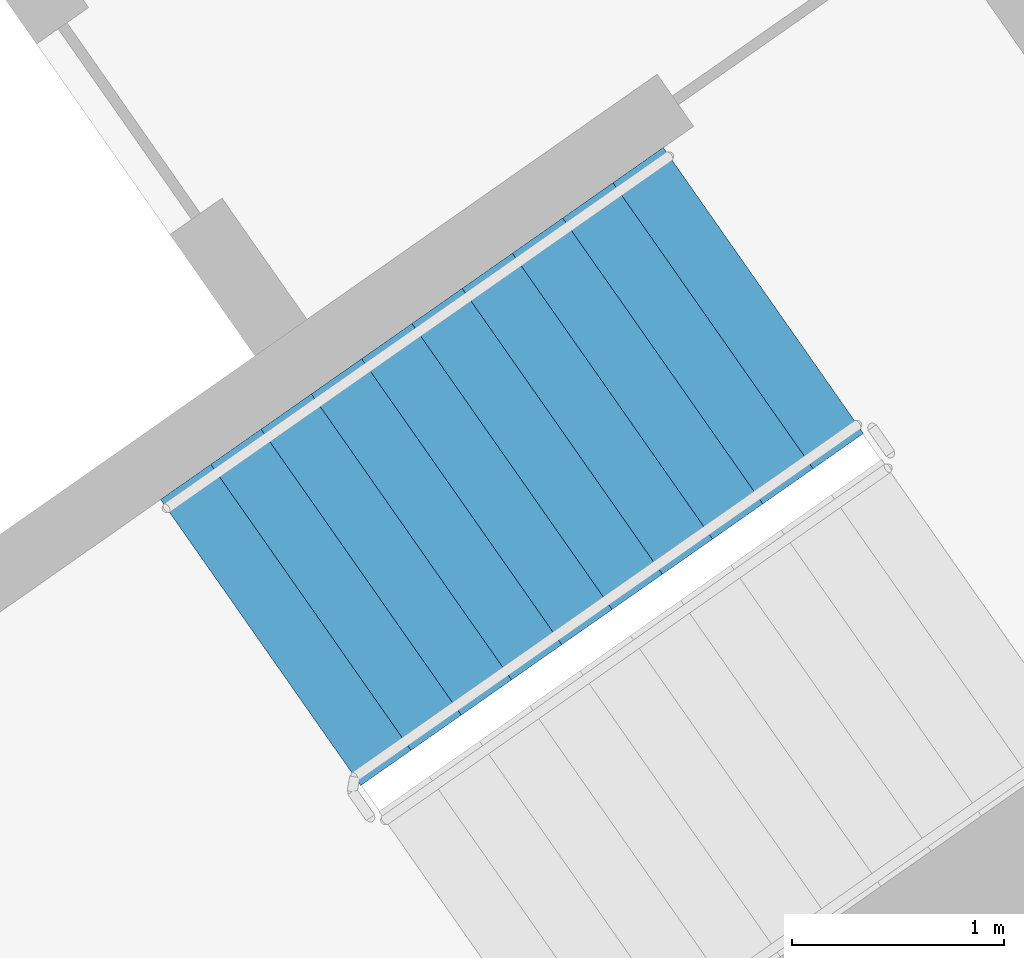
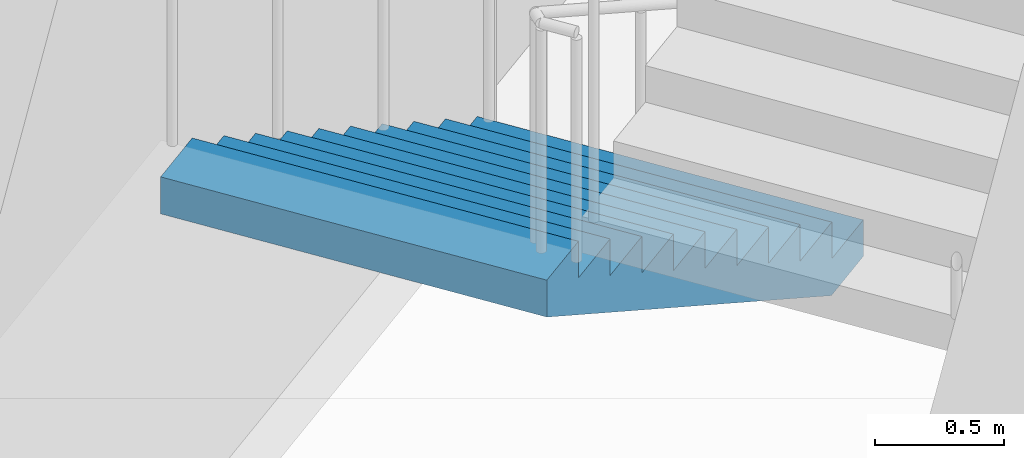
# One storey, part 17 of 30: 1 stair flight, 1 element without a shape of its own.
"""IFC4 building model written with IfcOpenShell, lengths in metres."""

from ifc_helpers import new_model, si_unit, direction, frame, origin, place, context, subcontext, project, spatial, faceted_brep, material, type_object, element, aggregate, save


model = new_model("IFC4")

# Units and contexts
model_context = context("Model", 3, precision=1e-05, world=origin(), true_north=direction((0.0, 1.0)))
body_context = subcontext(model_context, "Body", "Model", "MODEL_VIEW")
ifc_project = project(units=[si_unit("LENGTHUNIT", "METRE"), si_unit("AREAUNIT", "SQUARE_METRE"), si_unit("VOLUMEUNIT", "CUBIC_METRE"), si_unit("PLANEANGLEUNIT", "RADIAN"), si_unit("MASSUNIT", "GRAM", prefix="KILO")], contexts=[model_context])

# Site, building, storey
site_placement = place(None, origin())
site = spatial("IfcSite", under=ifc_project, at=site_placement, CompositionType="ELEMENT")
building_placement = place(site_placement, origin())
building = spatial("IfcBuilding", under=site, at=building_placement, Name="Qamariyya Broadcast Tower", CompositionType="ELEMENT")
storey_placement = place(building_placement, frame((0.0, 0.0, 110.10009765625)))
storey = spatial("IfcBuildingStorey", under=building, at=storey_placement, Name="L24", CompositionType="ELEMENT", Elevation=110.10009765625)

# Stair, stair flight
ifc_material = material(Name="Concrete C50/60", Category="concrete")
stair_type = type_object("IfcStairType", Name="Exit stair 22 risers of 173 mm", PredefinedType="HALF_TURN_STAIR", material=ifc_material)
stair_placement = place(storey_placement, origin())
stair = element("IfcStair", 1, at=stair_placement, inside=storey, type_object=stair_type, Name="L24 Stair E1", PredefinedType="HALF_TURN_STAIR")
stair_flight_type = type_object("IfcStairFlightType", Name="Exit stair flight 11 risers of 173 mm", PredefinedType="STRAIGHT", material=ifc_material)
stair_flight_placement = place(storey_placement, frame((46.036376953125, -55.508056640625, 0.0), z_axis=(0.0, 0.0, 1.0), x_axis=(-0.819152044289, -0.573576436351, 0.0)))
stair_flight = element("IfcStairFlight", 2, at=stair_flight_placement, type_object=stair_flight_type, Name="ST-E1 flight 1", NumberOfRisers=11, NumberOfTreads=10, PredefinedType="STRAIGHT", RiserHeight=0.172727273, TreadLength=0.29, context=body_context, shape_type="Brep", body=[
    faceted_brep([(0.0, 0.824951171875, 0.0), (0.0, 0.824951171875, 0.172607421875), (0.2900390625, 0.824951171875, 0.172607421875), (0.2900390625, 0.824951171875, 0.345458984375), (0.580078125, 0.824951171875, 0.345458984375), (0.580078125, 0.824951171875, 0.51806640625), (0.8701171875, 0.824951171875, 0.51806640625), (0.8701171875, 0.824951171875, 0.69091796875), (1.159912109375, 0.824951171875, 0.69091796875), (1.159912109375, 0.824951171875, 0.863525390625), (1.449951171875, 0.824951171875, 0.863525390625), (1.449951171875, 0.824951171875, 1.036376953125), (1.739990234375, 0.824951171875, 1.036376953125), (1.739990234375, 0.824951171875, 1.208984375), (2.030029296875, 0.824951171875, 1.208984375), (2.030029296875, 0.824951171875, 1.3818359375), (2.320068359375, 0.824951171875, 1.3818359375), (2.320068359375, 0.824951171875, 1.554443359375), (2.610107421875, 0.824951171875, 1.554443359375), (2.610107421875, 0.824951171875, 1.727294921875), (2.89990234375, 0.824951171875, 1.727294921875), (2.89990234375, 0.824951171875, 1.552734375), (0.29296875, 0.824951171875, 0.0), (0.29296875, -0.824951171875, 0.0), (2.89990234375, -0.824951171875, 1.552734375), (2.89990234375, -0.824951171875, 1.727294921875), (2.610107421875, -0.824951171875, 1.727294921875), (2.610107421875, -0.824951171875, 1.554443359375), (2.320068359375, -0.824951171875, 1.554443359375), (2.320068359375, -0.824951171875, 1.3818359375), (2.030029296875, -0.824951171875, 1.3818359375), (2.030029296875, -0.824951171875, 1.208984375), (1.739990234375, -0.824951171875, 1.208984375), (1.739990234375, -0.824951171875, 1.036376953125), (1.449951171875, -0.824951171875, 1.036376953125), (1.449951171875, -0.824951171875, 0.863525390625), (1.159912109375, -0.824951171875, 0.863525390625), (1.159912109375, -0.824951171875, 0.69091796875), (0.8701171875, -0.824951171875, 0.69091796875), (0.8701171875, -0.824951171875, 0.51806640625), (0.580078125, -0.824951171875, 0.51806640625), (0.580078125, -0.824951171875, 0.345458984375), (0.2900390625, -0.824951171875, 0.345458984375), (0.2900390625, -0.824951171875, 0.172607421875), (0.0, -0.824951171875, 0.172607421875), (0.0, -0.824951171875, 0.0), (0.0, 0.10009765625, 0.0), (0.0, 0.086669921875, 0.0), (0.0, 0.0732421875, 0.0), (0.0, 0.06005859375, 0.0), (0.0, 0.046630859375, 0.0), (0.0, 0.033447265625, 0.0), (0.0, 0.02001953125, 0.0), (0.0, 0.006591796875, 0.0), (0.0, -0.006591796875, 0.0), (0.0, -0.02001953125, 0.0), (0.0, -0.033447265625, 0.0), (0.0, -0.046630859375, 0.0), (0.0, -0.06005859375, 0.0), (0.0, -0.0732421875, 0.0), (0.0, -0.086669921875, 0.0), (0.0, -0.10009765625, 0.0), (0.0, -0.10009765625, 0.172607421875), (0.0, -0.086669921875, 0.172607421875), (0.0, -0.0732421875, 0.172607421875), (0.0, -0.06005859375, 0.172607421875), (0.0, -0.046630859375, 0.172607421875), (0.0, -0.033447265625, 0.172607421875), (0.0, -0.02001953125, 0.172607421875), (0.0, -0.006591796875, 0.172607421875), (0.0, 0.006591796875, 0.172607421875), (0.0, 0.02001953125, 0.172607421875), (0.0, 0.033447265625, 0.172607421875), (0.0, 0.046630859375, 0.172607421875), (0.0, 0.06005859375, 0.172607421875), (0.0, 0.0732421875, 0.172607421875), (0.0, 0.086669921875, 0.172607421875), (0.0, 0.10009765625, 0.172607421875), (0.2900390625, -0.10009765625, 0.172607421875), (0.2900390625, -0.086669921875, 0.172607421875), (0.2900390625, -0.0732421875, 0.172607421875), (0.2900390625, -0.06005859375, 0.172607421875), (0.2900390625, -0.046630859375, 0.172607421875), (0.2900390625, -0.033447265625, 0.172607421875), (0.2900390625, -0.02001953125, 0.172607421875), (0.2900390625, -0.006591796875, 0.172607421875), (0.2900390625, 0.006591796875, 0.172607421875), (0.2900390625, 0.02001953125, 0.172607421875), (0.2900390625, 0.033447265625, 0.172607421875), (0.2900390625, 0.046630859375, 0.172607421875), (0.2900390625, 0.06005859375, 0.172607421875), (0.2900390625, 0.0732421875, 0.172607421875), (0.2900390625, 0.086669921875, 0.172607421875), (0.2900390625, 0.10009765625, 0.172607421875), (0.2900390625, -0.10009765625, 0.345458984375), (0.2900390625, -0.086669921875, 0.345458984375), (0.2900390625, -0.0732421875, 0.345458984375), (0.2900390625, -0.06005859375, 0.345458984375), (0.2900390625, -0.046630859375, 0.345458984375), (0.2900390625, -0.033447265625, 0.345458984375), (0.2900390625, -0.02001953125, 0.345458984375), (0.2900390625, -0.006591796875, 0.345458984375), (0.2900390625, 0.006591796875, 0.345458984375), (0.2900390625, 0.02001953125, 0.345458984375), (0.2900390625, 0.033447265625, 0.345458984375), (0.2900390625, 0.046630859375, 0.345458984375), (0.2900390625, 0.06005859375, 0.345458984375), (0.2900390625, 0.0732421875, 0.345458984375), (0.2900390625, 0.086669921875, 0.345458984375), (0.2900390625, 0.10009765625, 0.345458984375), (0.580078125, -0.10009765625, 0.345458984375), (0.580078125, -0.086669921875, 0.345458984375), (0.580078125, -0.0732421875, 0.345458984375), (0.580078125, -0.06005859375, 0.345458984375), (0.580078125, -0.046630859375, 0.345458984375), (0.580078125, -0.033447265625, 0.345458984375), (0.580078125, -0.02001953125, 0.345458984375), (0.580078125, -0.006591796875, 0.345458984375), (0.580078125, 0.006591796875, 0.345458984375), (0.580078125, 0.02001953125, 0.345458984375), (0.580078125, 0.033447265625, 0.345458984375), (0.580078125, 0.046630859375, 0.345458984375), (0.580078125, 0.06005859375, 0.345458984375), (0.580078125, 0.0732421875, 0.345458984375), (0.580078125, 0.086669921875, 0.345458984375), (0.580078125, 0.10009765625, 0.345458984375), (0.580078125, -0.10009765625, 0.51806640625), (0.580078125, -0.086669921875, 0.51806640625), (0.580078125, -0.0732421875, 0.51806640625), (0.580078125, -0.06005859375, 0.51806640625), (0.580078125, -0.046630859375, 0.51806640625), (0.580078125, -0.033447265625, 0.51806640625), (0.580078125, -0.02001953125, 0.51806640625), (0.580078125, -0.006591796875, 0.51806640625), (0.580078125, 0.006591796875, 0.51806640625), (0.580078125, 0.02001953125, 0.51806640625), (0.580078125, 0.033447265625, 0.51806640625), (0.580078125, 0.046630859375, 0.51806640625), (0.580078125, 0.06005859375, 0.51806640625), (0.580078125, 0.0732421875, 0.51806640625), (0.580078125, 0.086669921875, 0.51806640625), (0.580078125, 0.10009765625, 0.51806640625), (0.8701171875, -0.10009765625, 0.51806640625), (0.8701171875, -0.086669921875, 0.51806640625), (0.8701171875, -0.0732421875, 0.51806640625), (0.8701171875, -0.06005859375, 0.51806640625), (0.8701171875, -0.046630859375, 0.51806640625), (0.8701171875, -0.033447265625, 0.51806640625), (0.8701171875, -0.02001953125, 0.51806640625), (0.8701171875, -0.006591796875, 0.51806640625), (0.8701171875, 0.006591796875, 0.51806640625), (0.8701171875, 0.02001953125, 0.51806640625), (0.8701171875, 0.033447265625, 0.51806640625), (0.8701171875, 0.046630859375, 0.51806640625), (0.8701171875, 0.06005859375, 0.51806640625), (0.8701171875, 0.0732421875, 0.51806640625), (0.8701171875, 0.086669921875, 0.51806640625), (0.8701171875, 0.10009765625, 0.51806640625), (0.8701171875, -0.10009765625, 0.69091796875), (0.8701171875, -0.086669921875, 0.69091796875), (0.8701171875, -0.0732421875, 0.69091796875), (0.8701171875, -0.06005859375, 0.69091796875), (0.8701171875, -0.046630859375, 0.69091796875), (0.8701171875, -0.033447265625, 0.69091796875), (0.8701171875, -0.02001953125, 0.69091796875), (0.8701171875, -0.006591796875, 0.69091796875), (0.8701171875, 0.006591796875, 0.69091796875), (0.8701171875, 0.02001953125, 0.69091796875), (0.8701171875, 0.033447265625, 0.69091796875), (0.8701171875, 0.046630859375, 0.69091796875), (0.8701171875, 0.06005859375, 0.69091796875), (0.8701171875, 0.0732421875, 0.69091796875), (0.8701171875, 0.086669921875, 0.69091796875), (0.8701171875, 0.10009765625, 0.69091796875), (1.159912109375, -0.10009765625, 0.69091796875), (1.159912109375, -0.086669921875, 0.69091796875), (1.159912109375, -0.0732421875, 0.69091796875), (1.159912109375, -0.06005859375, 0.69091796875), (1.159912109375, -0.046630859375, 0.69091796875), (1.159912109375, -0.033447265625, 0.69091796875), (1.159912109375, -0.02001953125, 0.69091796875), (1.159912109375, -0.006591796875, 0.69091796875), (1.159912109375, 0.006591796875, 0.69091796875), (1.159912109375, 0.02001953125, 0.69091796875), (1.159912109375, 0.033447265625, 0.69091796875), (1.159912109375, 0.046630859375, 0.69091796875), (1.159912109375, 0.06005859375, 0.69091796875), (1.159912109375, 0.0732421875, 0.69091796875), (1.159912109375, 0.086669921875, 0.69091796875), (1.159912109375, 0.10009765625, 0.69091796875), (1.159912109375, -0.10009765625, 0.863525390625), (1.159912109375, -0.086669921875, 0.863525390625), (1.159912109375, -0.0732421875, 0.863525390625), (1.159912109375, -0.06005859375, 0.863525390625), (1.159912109375, -0.046630859375, 0.863525390625), (1.159912109375, -0.033447265625, 0.863525390625), (1.159912109375, -0.02001953125, 0.863525390625), (1.159912109375, -0.006591796875, 0.863525390625), (1.159912109375, 0.006591796875, 0.863525390625), (1.159912109375, 0.02001953125, 0.863525390625), (1.159912109375, 0.033447265625, 0.863525390625), (1.159912109375, 0.046630859375, 0.863525390625), (1.159912109375, 0.06005859375, 0.863525390625), (1.159912109375, 0.0732421875, 0.863525390625), (1.159912109375, 0.086669921875, 0.863525390625), (1.159912109375, 0.10009765625, 0.863525390625), (1.449951171875, -0.10009765625, 0.863525390625), (1.449951171875, -0.086669921875, 0.863525390625), (1.449951171875, -0.0732421875, 0.863525390625), (1.449951171875, -0.06005859375, 0.863525390625), (1.449951171875, -0.046630859375, 0.863525390625), (1.449951171875, -0.033447265625, 0.863525390625), (1.449951171875, -0.02001953125, 0.863525390625), (1.449951171875, -0.006591796875, 0.863525390625), (1.449951171875, 0.006591796875, 0.863525390625), (1.449951171875, 0.02001953125, 0.863525390625), (1.449951171875, 0.033447265625, 0.863525390625), (1.449951171875, 0.046630859375, 0.863525390625), (1.449951171875, 0.06005859375, 0.863525390625), (1.449951171875, 0.0732421875, 0.863525390625), (1.449951171875, 0.086669921875, 0.863525390625), (1.449951171875, 0.10009765625, 0.863525390625), (1.449951171875, -0.10009765625, 1.036376953125), (1.449951171875, -0.086669921875, 1.036376953125), (1.449951171875, -0.0732421875, 1.036376953125), (1.449951171875, -0.06005859375, 1.036376953125), (1.449951171875, -0.046630859375, 1.036376953125), (1.449951171875, -0.033447265625, 1.036376953125), (1.449951171875, -0.02001953125, 1.036376953125), (1.449951171875, -0.006591796875, 1.036376953125), (1.449951171875, 0.006591796875, 1.036376953125), (1.449951171875, 0.02001953125, 1.036376953125), (1.449951171875, 0.033447265625, 1.036376953125), (1.449951171875, 0.046630859375, 1.036376953125), (1.449951171875, 0.06005859375, 1.036376953125), (1.449951171875, 0.0732421875, 1.036376953125), (1.449951171875, 0.086669921875, 1.036376953125), (1.449951171875, 0.10009765625, 1.036376953125), (1.739990234375, -0.10009765625, 1.036376953125), (1.739990234375, -0.086669921875, 1.036376953125), (1.739990234375, -0.0732421875, 1.036376953125), (1.739990234375, -0.06005859375, 1.036376953125), (1.739990234375, -0.046630859375, 1.036376953125), (1.739990234375, -0.033447265625, 1.036376953125), (1.739990234375, -0.02001953125, 1.036376953125), (1.739990234375, -0.006591796875, 1.036376953125), (1.739990234375, 0.006591796875, 1.036376953125), (1.739990234375, 0.02001953125, 1.036376953125), (1.739990234375, 0.033447265625, 1.036376953125), (1.739990234375, 0.046630859375, 1.036376953125), (1.739990234375, 0.06005859375, 1.036376953125), (1.739990234375, 0.0732421875, 1.036376953125), (1.739990234375, 0.086669921875, 1.036376953125), (1.739990234375, 0.10009765625, 1.036376953125), (1.739990234375, -0.10009765625, 1.208984375), (1.739990234375, -0.086669921875, 1.208984375), (1.739990234375, -0.0732421875, 1.208984375), (1.739990234375, -0.06005859375, 1.208984375), (1.739990234375, -0.046630859375, 1.208984375), (1.739990234375, -0.033447265625, 1.208984375), (1.739990234375, -0.02001953125, 1.208984375), (1.739990234375, -0.006591796875, 1.208984375), (1.739990234375, 0.006591796875, 1.208984375), (1.739990234375, 0.02001953125, 1.208984375), (1.739990234375, 0.033447265625, 1.208984375), (1.739990234375, 0.046630859375, 1.208984375), (1.739990234375, 0.06005859375, 1.208984375), (1.739990234375, 0.0732421875, 1.208984375), (1.739990234375, 0.086669921875, 1.208984375), (1.739990234375, 0.10009765625, 1.208984375), (2.030029296875, -0.10009765625, 1.208984375), (2.030029296875, -0.086669921875, 1.208984375), (2.030029296875, -0.0732421875, 1.208984375), (2.030029296875, -0.06005859375, 1.208984375), (2.030029296875, -0.046630859375, 1.208984375), (2.030029296875, -0.033447265625, 1.208984375), (2.030029296875, -0.02001953125, 1.208984375), (2.030029296875, -0.006591796875, 1.208984375), (2.030029296875, 0.006591796875, 1.208984375), (2.030029296875, 0.02001953125, 1.208984375), (2.030029296875, 0.033447265625, 1.208984375), (2.030029296875, 0.046630859375, 1.208984375), (2.030029296875, 0.06005859375, 1.208984375), (2.030029296875, 0.0732421875, 1.208984375), (2.030029296875, 0.086669921875, 1.208984375), (2.030029296875, 0.10009765625, 1.208984375), (2.030029296875, -0.10009765625, 1.3818359375), (2.030029296875, -0.086669921875, 1.3818359375), (2.030029296875, -0.0732421875, 1.3818359375), (2.030029296875, -0.06005859375, 1.3818359375), (2.030029296875, -0.046630859375, 1.3818359375), (2.030029296875, -0.033447265625, 1.3818359375), (2.030029296875, -0.02001953125, 1.3818359375), (2.030029296875, -0.006591796875, 1.3818359375), (2.030029296875, 0.006591796875, 1.3818359375), (2.030029296875, 0.02001953125, 1.3818359375), (2.030029296875, 0.033447265625, 1.3818359375), (2.030029296875, 0.046630859375, 1.3818359375), (2.030029296875, 0.06005859375, 1.3818359375), (2.030029296875, 0.0732421875, 1.3818359375), (2.030029296875, 0.086669921875, 1.3818359375), (2.030029296875, 0.10009765625, 1.3818359375), (2.320068359375, -0.10009765625, 1.3818359375), (2.320068359375, -0.086669921875, 1.3818359375), (2.320068359375, -0.0732421875, 1.3818359375), (2.320068359375, -0.06005859375, 1.3818359375), (2.320068359375, -0.046630859375, 1.3818359375), (2.320068359375, -0.033447265625, 1.3818359375), (2.320068359375, -0.02001953125, 1.3818359375), (2.320068359375, -0.006591796875, 1.3818359375), (2.320068359375, 0.006591796875, 1.3818359375), (2.320068359375, 0.02001953125, 1.3818359375), (2.320068359375, 0.033447265625, 1.3818359375), (2.320068359375, 0.046630859375, 1.3818359375), (2.320068359375, 0.06005859375, 1.3818359375), (2.320068359375, 0.0732421875, 1.3818359375), (2.320068359375, 0.086669921875, 1.3818359375), (2.320068359375, 0.10009765625, 1.3818359375), (2.320068359375, -0.10009765625, 1.554443359375), (2.320068359375, -0.086669921875, 1.554443359375), (2.320068359375, -0.0732421875, 1.554443359375), (2.320068359375, -0.06005859375, 1.554443359375), (2.320068359375, -0.046630859375, 1.554443359375), (2.320068359375, -0.033447265625, 1.554443359375), (2.320068359375, -0.02001953125, 1.554443359375), (2.320068359375, -0.006591796875, 1.554443359375), (2.320068359375, 0.006591796875, 1.554443359375), (2.320068359375, 0.02001953125, 1.554443359375), (2.320068359375, 0.033447265625, 1.554443359375), (2.320068359375, 0.046630859375, 1.554443359375), (2.320068359375, 0.06005859375, 1.554443359375), (2.320068359375, 0.0732421875, 1.554443359375), (2.320068359375, 0.086669921875, 1.554443359375), (2.320068359375, 0.10009765625, 1.554443359375), (2.610107421875, -0.10009765625, 1.554443359375), (2.610107421875, -0.086669921875, 1.554443359375), (2.610107421875, -0.0732421875, 1.554443359375), (2.610107421875, -0.06005859375, 1.554443359375), (2.610107421875, -0.046630859375, 1.554443359375), (2.610107421875, -0.033447265625, 1.554443359375), (2.610107421875, -0.02001953125, 1.554443359375), (2.610107421875, -0.006591796875, 1.554443359375), (2.610107421875, 0.006591796875, 1.554443359375), (2.610107421875, 0.02001953125, 1.554443359375), (2.610107421875, 0.033447265625, 1.554443359375), (2.610107421875, 0.046630859375, 1.554443359375), (2.610107421875, 0.06005859375, 1.554443359375), (2.610107421875, 0.0732421875, 1.554443359375), (2.610107421875, 0.086669921875, 1.554443359375), (2.610107421875, 0.10009765625, 1.554443359375), (2.610107421875, -0.10009765625, 1.727294921875), (2.610107421875, -0.086669921875, 1.727294921875), (2.610107421875, -0.0732421875, 1.727294921875), (2.610107421875, -0.06005859375, 1.727294921875), (2.610107421875, -0.046630859375, 1.727294921875), (2.610107421875, -0.033447265625, 1.727294921875), (2.610107421875, -0.02001953125, 1.727294921875), (2.610107421875, -0.006591796875, 1.727294921875), (2.610107421875, 0.006591796875, 1.727294921875), (2.610107421875, 0.02001953125, 1.727294921875), (2.610107421875, 0.033447265625, 1.727294921875), (2.610107421875, 0.046630859375, 1.727294921875), (2.610107421875, 0.06005859375, 1.727294921875), (2.610107421875, 0.0732421875, 1.727294921875), (2.610107421875, 0.086669921875, 1.727294921875), (2.610107421875, 0.10009765625, 1.727294921875), (2.89990234375, -0.10009765625, 1.727294921875), (2.89990234375, -0.086669921875, 1.727294921875), (2.89990234375, -0.0732421875, 1.727294921875), (2.89990234375, -0.06005859375, 1.727294921875), (2.89990234375, -0.046630859375, 1.727294921875), (2.89990234375, -0.033447265625, 1.727294921875), (2.89990234375, -0.02001953125, 1.727294921875), (2.89990234375, -0.006591796875, 1.727294921875), (2.89990234375, 0.006591796875, 1.727294921875), (2.89990234375, 0.02001953125, 1.727294921875), (2.89990234375, 0.033447265625, 1.727294921875), (2.89990234375, 0.046630859375, 1.727294921875), (2.89990234375, 0.06005859375, 1.727294921875), (2.89990234375, 0.0732421875, 1.727294921875), (2.89990234375, 0.086669921875, 1.727294921875), (2.89990234375, 0.10009765625, 1.727294921875), (2.89990234375, -0.10009765625, 1.552734375), (2.89990234375, -0.086669921875, 1.552734375), (2.89990234375, -0.0732421875, 1.552734375), (2.89990234375, -0.06005859375, 1.552734375), (2.89990234375, -0.046630859375, 1.552734375), (2.89990234375, -0.033447265625, 1.552734375), (2.89990234375, -0.02001953125, 1.552734375), (2.89990234375, -0.006591796875, 1.552734375), (2.89990234375, 0.006591796875, 1.552734375), (2.89990234375, 0.02001953125, 1.552734375), (2.89990234375, 0.033447265625, 1.552734375), (2.89990234375, 0.046630859375, 1.552734375), (2.89990234375, 0.06005859375, 1.552734375), (2.89990234375, 0.0732421875, 1.552734375), (2.89990234375, 0.086669921875, 1.552734375), (2.89990234375, 0.10009765625, 1.552734375), (0.29296875, -0.10009765625, 0.0), (0.29296875, -0.086669921875, 0.0), (0.29296875, -0.0732421875, 0.0), (0.29296875, -0.06005859375, 0.0), (0.29296875, -0.046630859375, 0.0), (0.29296875, -0.033447265625, 0.0), (0.29296875, -0.02001953125, 0.0), (0.29296875, -0.006591796875, 0.0), (0.29296875, 0.006591796875, 0.0), (0.29296875, 0.02001953125, 0.0), (0.29296875, 0.033447265625, 0.0), (0.29296875, 0.046630859375, 0.0), (0.29296875, 0.06005859375, 0.0), (0.29296875, 0.0732421875, 0.0), (0.29296875, 0.086669921875, 0.0), (0.29296875, 0.10009765625, 0.0)], [[[0, 1, 2, 3, 4, 5, 6, 7, 8, 9, 10, 11, 12, 13, 14, 15, 16, 17, 18, 19, 20, 21, 22]], [[23, 24, 25, 26, 27, 28, 29, 30, 31, 32, 33, 34, 35, 36, 37, 38, 39, 40, 41, 42, 43, 44, 45]], [[0, 46, 47, 48, 49, 50, 51, 52, 53, 54, 55, 56, 57, 58, 59, 60, 61, 45, 44, 62, 63, 64, 65, 66, 67, 68, 69, 70, 71, 72, 73, 74, 75, 76, 77, 1]], [[1, 77, 76, 75, 74, 73, 72, 71, 70, 69, 68, 67, 66, 65, 64, 63, 62, 44, 43, 78, 79, 80, 81, 82, 83, 84, 85, 86, 87, 88, 89, 90, 91, 92, 93, 2]], [[2, 93, 92, 91, 90, 89, 88, 87, 86, 85, 84, 83, 82, 81, 80, 79, 78, 43, 42, 94, 95, 96, 97, 98, 99, 100, 101, 102, 103, 104, 105, 106, 107, 108, 109, 3]], [[3, 109, 108, 107, 106, 105, 104, 103, 102, 101, 100, 99, 98, 97, 96, 95, 94, 42, 41, 110, 111, 112, 113, 114, 115, 116, 117, 118, 119, 120, 121, 122, 123, 124, 125, 4]], [[4, 125, 124, 123, 122, 121, 120, 119, 118, 117, 116, 115, 114, 113, 112, 111, 110, 41, 40, 126, 127, 128, 129, 130, 131, 132, 133, 134, 135, 136, 137, 138, 139, 140, 141, 5]], [[5, 141, 140, 139, 138, 137, 136, 135, 134, 133, 132, 131, 130, 129, 128, 127, 126, 40, 39, 142, 143, 144, 145, 146, 147, 148, 149, 150, 151, 152, 153, 154, 155, 156, 157, 6]], [[6, 157, 156, 155, 154, 153, 152, 151, 150, 149, 148, 147, 146, 145, 144, 143, 142, 39, 38, 158, 159, 160, 161, 162, 163, 164, 165, 166, 167, 168, 169, 170, 171, 172, 173, 7]], [[7, 173, 172, 171, 170, 169, 168, 167, 166, 165, 164, 163, 162, 161, 160, 159, 158, 38, 37, 174, 175, 176, 177, 178, 179, 180, 181, 182, 183, 184, 185, 186, 187, 188, 189, 8]], [[8, 189, 188, 187, 186, 185, 184, 183, 182, 181, 180, 179, 178, 177, 176, 175, 174, 37, 36, 190, 191, 192, 193, 194, 195, 196, 197, 198, 199, 200, 201, 202, 203, 204, 205, 9]], [[9, 205, 204, 203, 202, 201, 200, 199, 198, 197, 196, 195, 194, 193, 192, 191, 190, 36, 35, 206, 207, 208, 209, 210, 211, 212, 213, 214, 215, 216, 217, 218, 219, 220, 221, 10]], [[10, 221, 220, 219, 218, 217, 216, 215, 214, 213, 212, 211, 210, 209, 208, 207, 206, 35, 34, 222, 223, 224, 225, 226, 227, 228, 229, 230, 231, 232, 233, 234, 235, 236, 237, 11]], [[11, 237, 236, 235, 234, 233, 232, 231, 230, 229, 228, 227, 226, 225, 224, 223, 222, 34, 33, 238, 239, 240, 241, 242, 243, 244, 245, 246, 247, 248, 249, 250, 251, 252, 253, 12]], [[12, 253, 252, 251, 250, 249, 248, 247, 246, 245, 244, 243, 242, 241, 240, 239, 238, 33, 32, 254, 255, 256, 257, 258, 259, 260, 261, 262, 263, 264, 265, 266, 267, 268, 269, 13]], [[13, 269, 268, 267, 266, 265, 264, 263, 262, 261, 260, 259, 258, 257, 256, 255, 254, 32, 31, 270, 271, 272, 273, 274, 275, 276, 277, 278, 279, 280, 281, 282, 283, 284, 285, 14]], [[14, 285, 284, 283, 282, 281, 280, 279, 278, 277, 276, 275, 274, 273, 272, 271, 270, 31, 30, 286, 287, 288, 289, 290, 291, 292, 293, 294, 295, 296, 297, 298, 299, 300, 301, 15]], [[15, 301, 300, 299, 298, 297, 296, 295, 294, 293, 292, 291, 290, 289, 288, 287, 286, 30, 29, 302, 303, 304, 305, 306, 307, 308, 309, 310, 311, 312, 313, 314, 315, 316, 317, 16]], [[16, 317, 316, 315, 314, 313, 312, 311, 310, 309, 308, 307, 306, 305, 304, 303, 302, 29, 28, 318, 319, 320, 321, 322, 323, 324, 325, 326, 327, 328, 329, 330, 331, 332, 333, 17]], [[17, 333, 332, 331, 330, 329, 328, 327, 326, 325, 324, 323, 322, 321, 320, 319, 318, 28, 27, 334, 335, 336, 337, 338, 339, 340, 341, 342, 343, 344, 345, 346, 347, 348, 349, 18]], [[18, 349, 348, 347, 346, 345, 344, 343, 342, 341, 340, 339, 338, 337, 336, 335, 334, 27, 26, 350, 351, 352, 353, 354, 355, 356, 357, 358, 359, 360, 361, 362, 363, 364, 365, 19]], [[19, 365, 364, 363, 362, 361, 360, 359, 358, 357, 356, 355, 354, 353, 352, 351, 350, 26, 25, 366, 367, 368, 369, 370, 371, 372, 373, 374, 375, 376, 377, 378, 379, 380, 381, 20]], [[20, 381, 380, 379, 378, 377, 376, 375, 374, 373, 372, 371, 370, 369, 368, 367, 366, 25, 24, 382, 383, 384, 385, 386, 387, 388, 389, 390, 391, 392, 393, 394, 395, 396, 397, 21]], [[21, 397, 396, 395, 394, 393, 392, 391, 390, 389, 388, 387, 386, 385, 384, 383, 382, 24, 23, 398, 399, 400, 401, 402, 403, 404, 405, 406, 407, 408, 409, 410, 411, 412, 413, 22]], [[22, 413, 412, 411, 410, 409, 408, 407, 406, 405, 404, 403, 402, 401, 400, 399, 398, 23, 45, 61, 60, 59, 58, 57, 56, 55, 54, 53, 52, 51, 50, 49, 48, 47, 46, 0]]]),
])
aggregate(stair, [stair_flight])

save(model, "model.ifc")
